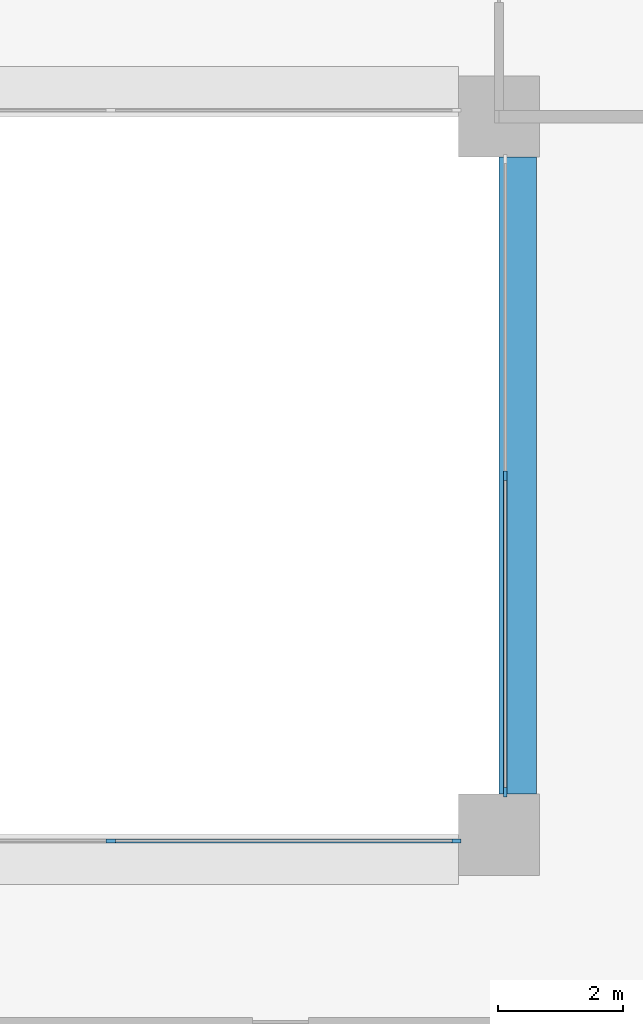
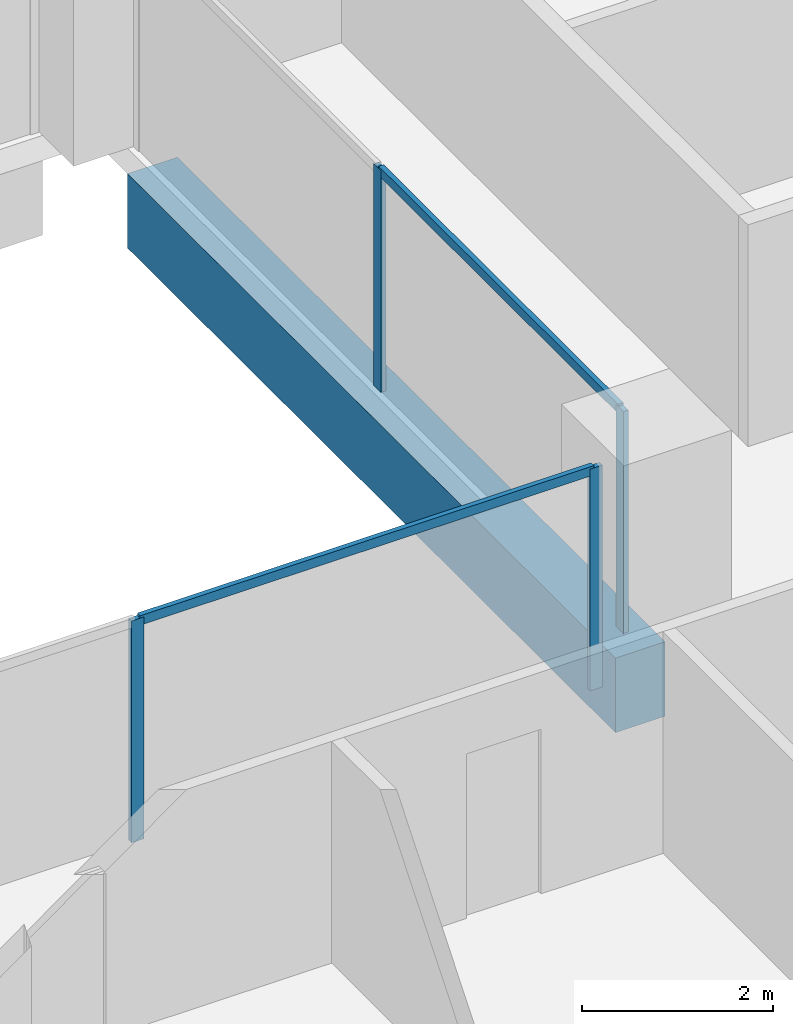
# One storey, part 4 of 16: 6 members, 1 beam, 2 elements without a shape of their own.
"""IFC4 building model written with IfcOpenShell, lengths in metres."""

from ifc_helpers import new_model, si_unit, direction, frame, origin, origin_2d, place, context, subcontext, project, spatial, rectangle, extrude, material, layer, layer_set, material_profile, profile_set, type_object, element, aggregate, save


model = new_model("IFC4")

# Units and contexts
model_context = context("Model", 3, precision=1e-05, world=origin(), true_north=direction((0.0, 1.0)))
body_context = subcontext(model_context, "Body", "Model", "MODEL_VIEW")
ifc_project = project(units=[si_unit("LENGTHUNIT", "METRE"), si_unit("AREAUNIT", "SQUARE_METRE"), si_unit("VOLUMEUNIT", "CUBIC_METRE"), si_unit("PLANEANGLEUNIT", "RADIAN"), si_unit("MASSUNIT", "GRAM", prefix="KILO")], contexts=[model_context])

# Site, building, storey
site_placement = place(None, origin())
site = spatial("IfcSite", under=ifc_project, at=site_placement, CompositionType="ELEMENT")
building_placement = place(site_placement, origin())
building = spatial("IfcBuilding", under=site, at=building_placement, Name="Brigalow Station Residences", CompositionType="ELEMENT")
storey_placement = place(building_placement, frame((0.0, 0.0, 121.35009765625)))
storey = spatial("IfcBuildingStorey", under=building, at=storey_placement, Name="L35", CompositionType="ELEMENT", Elevation=121.35009765625)

# Beam
ifc_material_1 = material(Name="Concrete C65", Category="concrete")
ifc_material_profile_1 = material_profile(ifc_material_1, rectangle(XDim=0.60009765625, YDim=0.949951171875, at=origin_2d()), Name="RC600x950")
ifc_profile_set_1 = profile_set([ifc_material_profile_1], Name="Concrete C65")
beam_type = type_object("IfcBeamType", Name="ATRIUM EDGE GIRDER 600x950 C65", PredefinedType="BEAM", material=ifc_profile_set_1)
beam_placement = place(storey_placement, frame((45.300048828125, 24.64990234375, -0.795166015625), z_axis=(0.0, 1.0, 0.0), x_axis=(-1.0, 0.0, 0.0)))
element("IfcBeam", 1, at=beam_placement, inside=storey, type_object=beam_type, Name="ATRIUM EDGE GIRDER 5 L35", PredefinedType="BEAM", context=body_context, shape_type="SweptSolid", body=[
    extrude(rectangle(XDim=0.60009765625, YDim=0.949951171875, at=origin_2d()), origin(), (0.0, 0.0, 1.0), 10.2001953125),
])

# Curtain wall, members
ifc_material_2 = material(Name="Aluminium", Category="aluminium")
ifc_layer = layer(ifc_material_2, 0.14990234375)
ifc_layer_set = layer_set([ifc_layer], Name="ATRIUM FIRE-RATED GLAZING CURTAIN WALL")
curtain_wall_type = type_object("IfcCurtainWallType", Name="ATRIUM FIRE-RATED GLAZING CURTAIN WALL", PredefinedType="NOTDEFINED", material=ifc_layer_set)
curtain_wall_1_placement = place(storey_placement, origin())
curtain_wall_1 = element("IfcCurtainWall", 2, at=curtain_wall_1_placement, inside=storey, type_object=curtain_wall_type, Name="L35/cw/atrium-S", PredefinedType="NOTDEFINED")
ifc_material_3 = material(Name="Aluminium", Category="aluminium")
ifc_material_profile_2 = material_profile(ifc_material_3, rectangle(XDim=0.06005859375, YDim=0.14990234375, at=origin_2d()), Name="ATRIUM FIRE-RATED GLAZING MULLION 60x150")
ifc_profile_set_2 = profile_set([ifc_material_profile_2], Name="Aluminium")
member_type_1 = type_object("IfcMemberType", Name="ATRIUM FIRE-RATED GLAZING MULLION 60x150", PredefinedType="MULLION", material=ifc_profile_set_2)
member_1_placement = place(storey_placement, frame((38.783203125, 23.89990234375, 0.0), z_axis=(0.0, 0.0, 1.0), x_axis=(0.0, 1.0, 0.0)))
member_1 = element("IfcMember", 3, at=member_1_placement, type_object=member_type_1, Name="L35/cw/atrium-S/M02", PredefinedType="MULLION", context=body_context, shape_type="SweptSolid", body=[
    extrude(rectangle(XDim=0.06005859375, YDim=0.14990234375, at=origin_2d()), origin(), (0.0, 0.0, 1.0), 2.829833984375),
])
member_2_placement = place(storey_placement, frame((44.320068359375, 23.89990234375, 0.0), z_axis=(0.0, 0.0, 1.0), x_axis=(0.0, 1.0, 0.0)))
member_2 = element("IfcMember", 4, at=member_2_placement, type_object=member_type_1, Name="L35/cw/atrium-S/M03", PredefinedType="MULLION", context=body_context, shape_type="SweptSolid", body=[
    extrude(rectangle(XDim=0.06005859375, YDim=0.14990234375, at=origin_2d()), origin(), (0.0, 0.0, 1.0), 2.829833984375),
])

curtain_wall_2_placement = place(storey_placement, origin())
curtain_wall_2 = element("IfcCurtainWall", 5, at=curtain_wall_2_placement, inside=storey, type_object=curtain_wall_type, Name="L35/cw/atrium-E", PredefinedType="NOTDEFINED")
member_3_placement = place(storey_placement, frame((45.10009765625, 24.679931640625, 0.0), z_axis=(0.0, 0.0, 1.0), x_axis=(-1.0, 0.0, 0.0)))
member_3 = element("IfcMember", 6, at=member_3_placement, type_object=member_type_1, Name="L35/cw/atrium-E/M00", PredefinedType="MULLION", context=body_context, shape_type="SweptSolid", body=[
    extrude(rectangle(XDim=0.06005859375, YDim=0.14990234375, at=origin_2d()), origin(), (0.0, 0.0, 1.0), 2.829833984375),
])
member_4_placement = place(storey_placement, frame((45.10009765625, 29.75, 0.0), z_axis=(0.0, 0.0, 1.0), x_axis=(-1.0, 0.0, 0.0)))
member_4 = element("IfcMember", 7, at=member_4_placement, type_object=member_type_1, Name="L35/cw/atrium-E/M01", PredefinedType="MULLION", context=body_context, shape_type="SweptSolid", body=[
    extrude(rectangle(XDim=0.06005859375, YDim=0.14990234375, at=origin_2d()), origin(), (0.0, 0.0, 1.0), 2.829833984375),
])

# Member
ifc_material_4 = material(Name="Aluminium", Category="aluminium")
ifc_material_profile_3 = material_profile(ifc_material_4, rectangle(XDim=0.06005859375, YDim=0.1201171875, at=origin_2d()), Name="ATRIUM FIRE-RATED GLAZING TRANSOM 60x120")
ifc_profile_set_3 = profile_set([ifc_material_profile_3], Name="Aluminium")
member_type_2 = type_object("IfcMemberType", Name="ATRIUM FIRE-RATED GLAZING TRANSOM 60x120", PredefinedType="USERDEFINED", material=ifc_profile_set_3)
member_5_placement = place(storey_placement, frame((38.813232421875, 23.89990234375, 2.7998046875), z_axis=(1.0, 0.0, 0.0), x_axis=(0.0, 1.0, 0.0)))
member_5 = element("IfcMember", 8, at=member_5_placement, type_object=member_type_2, Name="L35/cw/atrium-S/T02-00", ObjectType="TRANSOM", PredefinedType="USERDEFINED", context=body_context, shape_type="SweptSolid", body=[
    extrude(rectangle(XDim=0.06005859375, YDim=0.1201171875, at=origin_2d()), origin(), (0.0, 0.0, 1.0), 5.476806640625),
])

aggregate(curtain_wall_1, [member_1, member_2, member_5])

member_6_placement = place(storey_placement, frame((45.10009765625, 24.7099609375, 2.7998046875), z_axis=(0.0, 1.0, 0.0), x_axis=(-1.0, 0.0, 0.0)))
member_6 = element("IfcMember", 9, at=member_6_placement, type_object=member_type_2, Name="L35/cw/atrium-E/T00-00", ObjectType="TRANSOM", PredefinedType="USERDEFINED", context=body_context, shape_type="SweptSolid", body=[
    extrude(rectangle(XDim=0.06005859375, YDim=0.1201171875, at=origin_2d()), origin(), (0.0, 0.0, 1.0), 5.010009765625),
])

aggregate(curtain_wall_2, [member_3, member_4, member_6])

save(model, "model.ifc")
